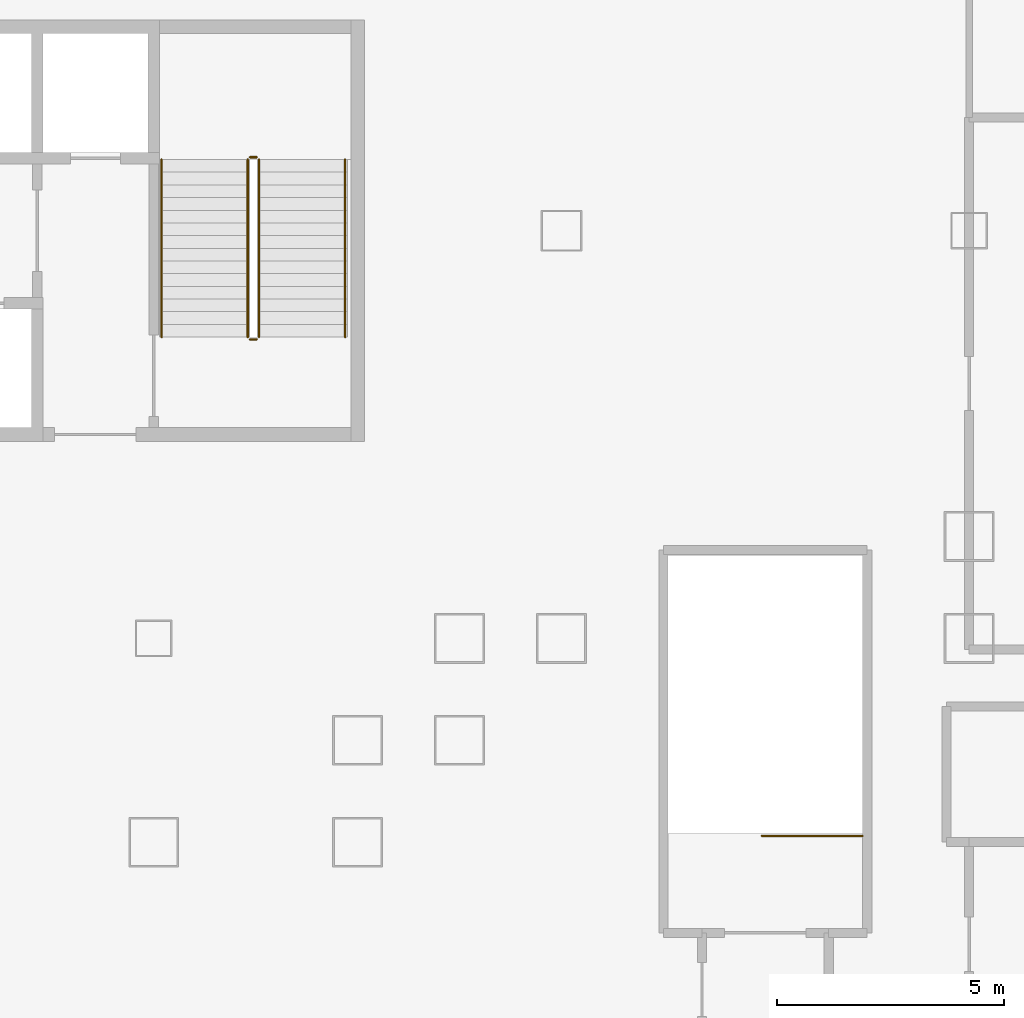
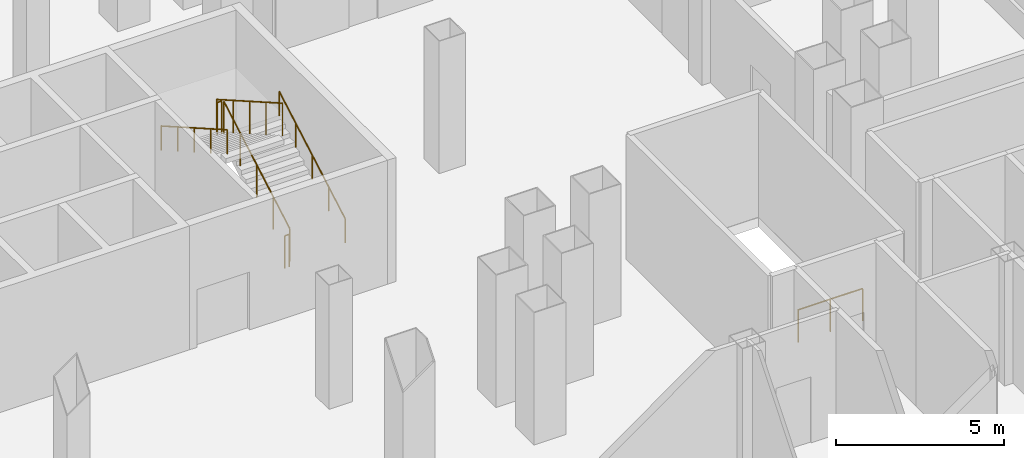
# One storey, part 12 of 13: 7 railings.
"""IFC4 building model written with IfcOpenShell, lengths in metres."""

from ifc_helpers import new_model, si_unit, direction, frame, origin, origin_2d, place, context, subcontext, project, spatial, circle, extrude, material, type_object, element, save


model = new_model("IFC4")

# Units and contexts
model_context = context("Model", 3, precision=1e-05, world=origin(), true_north=direction((0.0, 1.0)))
body_context = subcontext(model_context, "Body", "Model", "MODEL_VIEW")
ifc_project = project(units=[si_unit("LENGTHUNIT", "METRE"), si_unit("AREAUNIT", "SQUARE_METRE"), si_unit("VOLUMEUNIT", "CUBIC_METRE"), si_unit("PLANEANGLEUNIT", "RADIAN"), si_unit("MASSUNIT", "GRAM", prefix="KILO")], contexts=[model_context])

# Site, building, storey
site_placement = place(None, origin())
site = spatial("IfcSite", under=ifc_project, at=site_placement, CompositionType="ELEMENT")
building_placement = place(site_placement, origin())
building = spatial("IfcBuilding", under=site, at=building_placement, Name="Caravel Reach Hotel and Residences", CompositionType="ELEMENT")
storey_placement = place(building_placement, frame((0.0, 0.0, 28.800048828125)))
storey = spatial("IfcBuildingStorey", under=building, at=storey_placement, Name="L05", CompositionType="ELEMENT", Elevation=28.800048828125)

# Railings
ifc_material_1 = material(Name="Steel balustrade with glass infill", Category="steel")
railing_type_1 = type_object("IfcRailingType", Name="Guard 1200", PredefinedType="GUARDRAIL", material=ifc_material_1)
railing_1_placement = place(storey_placement, frame((42.824951171875, 24.64990234375, 0.159912109375)))
element("IfcRailing", 1, at=railing_1_placement, inside=storey, type_object=railing_type_1, Name="L05 ST-B stair guard 1", PredefinedType="GUARDRAIL", context=body_context, shape_type="SweptSolid", body=[
    extrude(circle(Radius=0.02392578125, at=origin_2d()), frame((0.0, 0.0, 1.17578125), z_axis=(0.0, 0.86825312469, 0.496121468458), x_axis=(-1.0, 0.0, 0.0)), (0.0, 0.0, 1.0), 4.514892578125),
    extrude(circle(Radius=0.02099609375, at=origin_2d()), origin(), (0.0, 0.0, 1.0), 1.15185546875),
    extrude(circle(Radius=0.02099609375, at=origin_2d()), frame((0.0, 0.97998046875, 0.56005859375)), (0.0, 0.0, 1.0), 1.15185546875),
    extrude(circle(Radius=0.02099609375, at=origin_2d()), frame((0.0, 1.9599609375, 1.1201171875)), (0.0, 0.0, 1.0), 1.15185546875),
    extrude(circle(Radius=0.02099609375, at=origin_2d()), frame((0.0, 2.940185546875, 1.679931640625)), (0.0, 0.0, 1.0), 1.15185546875),
    extrude(circle(Radius=0.02099609375, at=origin_2d()), frame((0.0, 3.920166015625, 2.239990234375)), (0.0, 0.0, 1.0), 1.15185546875),
])
railing_2_placement = place(storey_placement, frame((42.77490234375, 28.6201171875, 2.39990234375)))
element("IfcRailing", 2, at=railing_2_placement, inside=storey, type_object=railing_type_1, Name="L05 ST-B stair guard 2", PredefinedType="GUARDRAIL", context=body_context, shape_type="SweptSolid", body=[
    extrude(circle(Radius=0.02392578125, at=origin_2d()), frame((0.0, 0.0, 1.17578125), z_axis=(-1.0, 0.0, 0.0), x_axis=(0.0, -1.0, 0.0)), (0.0, 0.0, 1.0), 0.14990234375),
    extrude(circle(Radius=0.02099609375, at=origin_2d()), origin(), (0.0, 0.0, 1.0), 1.15185546875),
    extrude(circle(Radius=0.02099609375, at=origin_2d()), frame((-0.14990234375, 0.0, 0.0)), (0.0, 0.0, 1.0), 1.15185546875),
])
railing_3_placement = place(storey_placement, frame((42.574951171875, 28.570068359375, 2.56005859375)))
element("IfcRailing", 3, at=railing_3_placement, inside=storey, type_object=railing_type_1, Name="L05 ST-B stair guard 3", PredefinedType="GUARDRAIL", context=body_context, shape_type="SweptSolid", body=[
    extrude(circle(Radius=0.02392578125, at=origin_2d()), frame((0.0, 0.0, 1.17578125), z_axis=(0.0, -0.86825312469, 0.496121468458), x_axis=(1.0, 0.0, 0.0)), (0.0, 0.0, 1.0), 4.514892578125),
    extrude(circle(Radius=0.02099609375, at=origin_2d()), origin(), (0.0, 0.0, 1.0), 1.15185546875),
    extrude(circle(Radius=0.02099609375, at=origin_2d()), frame((0.0, -0.97998046875, 0.56005859375)), (0.0, 0.0, 1.0), 1.15185546875),
    extrude(circle(Radius=0.02099609375, at=origin_2d()), frame((0.0, -1.9599609375, 1.1201171875)), (0.0, 0.0, 1.0), 1.15185546875),
    extrude(circle(Radius=0.02099609375, at=origin_2d()), frame((0.0, -2.940185546875, 1.679931640625)), (0.0, 0.0, 1.0), 1.15185546875),
    extrude(circle(Radius=0.02099609375, at=origin_2d()), frame((0.0, -3.920166015625, 2.239990234375)), (0.0, 0.0, 1.0), 1.15185546875),
])
railing_4_placement = place(storey_placement, frame((42.77490234375, 24.60009765625, 0.0)))
element("IfcRailing", 4, at=railing_4_placement, inside=storey, type_object=railing_type_1, Name="L05 ST-B stair guard 4", PredefinedType="GUARDRAIL", context=body_context, shape_type="SweptSolid", body=[
    extrude(circle(Radius=0.02392578125, at=origin_2d()), frame((0.0, 0.0, 1.17578125), z_axis=(-1.0, 0.0, 0.0), x_axis=(0.0, -1.0, 0.0)), (0.0, 0.0, 1.0), 0.14990234375),
    extrude(circle(Radius=0.02099609375, at=origin_2d()), origin(), (0.0, 0.0, 1.0), 1.15185546875),
    extrude(circle(Radius=0.02099609375, at=origin_2d()), frame((-0.14990234375, 0.0, 0.0)), (0.0, 0.0, 1.0), 1.15185546875),
])
railing_5_placement = place(storey_placement, frame((56.14501953125, 13.639892578125, 0.0)))
element("IfcRailing", 5, at=railing_5_placement, inside=storey, type_object=railing_type_1, Name="L05 ST-P4 top well guard 1", PredefinedType="GUARDRAIL", context=body_context, shape_type="SweptSolid", body=[
    extrude(circle(Radius=0.02392578125, at=origin_2d()), frame((0.0, 0.0, 1.17578125), z_axis=(-1.0, 0.0, 0.0), x_axis=(0.0, -1.0, 0.0)), (0.0, 0.0, 1.0), 2.219970703125),
    extrude(circle(Radius=0.02099609375, at=origin_2d()), origin(), (0.0, 0.0, 1.0), 1.15185546875),
    extrude(circle(Radius=0.02099609375, at=origin_2d()), frame((-1.10986328125, 0.0, 0.0)), (0.0, 0.0, 1.0), 1.15185546875),
    extrude(circle(Radius=0.02099609375, at=origin_2d()), frame((-2.219970703125, 0.0, 0.0)), (0.0, 0.0, 1.0), 1.15185546875),
])
ifc_material_2 = material(Name="Stainless steel handrail", Category="steel")
railing_type_2 = type_object("IfcRailingType", Name="Handrail 900", PredefinedType="HANDRAIL", material=ifc_material_2)
railing_6_placement = place(storey_placement, frame((44.72509765625, 24.64990234375, 0.159912109375)))
element("IfcRailing", 6, at=railing_6_placement, inside=storey, type_object=railing_type_2, Name="L05 ST-B stair handrail 1", PredefinedType="HANDRAIL", context=body_context, shape_type="SweptSolid", body=[
    extrude(circle(Radius=0.02392578125, at=origin_2d()), frame((0.0, 0.0, 0.8759765625), z_axis=(0.0, 0.86825312469, 0.496121468458), x_axis=(-1.0, 0.0, 0.0)), (0.0, 0.0, 1.0), 4.514892578125),
    extrude(circle(Radius=0.02099609375, at=origin_2d()), origin(), (0.0, 0.0, 1.0), 0.851806640625),
    extrude(circle(Radius=0.02099609375, at=origin_2d()), frame((0.0, 0.97998046875, 0.56005859375)), (0.0, 0.0, 1.0), 0.851806640625),
    extrude(circle(Radius=0.02099609375, at=origin_2d()), frame((0.0, 1.9599609375, 1.1201171875)), (0.0, 0.0, 1.0), 0.851806640625),
    extrude(circle(Radius=0.02099609375, at=origin_2d()), frame((0.0, 2.940185546875, 1.679931640625)), (0.0, 0.0, 1.0), 0.851806640625),
    extrude(circle(Radius=0.02099609375, at=origin_2d()), frame((0.0, 3.920166015625, 2.239990234375)), (0.0, 0.0, 1.0), 0.851806640625),
])
railing_7_placement = place(storey_placement, frame((40.675048828125, 28.570068359375, 2.56005859375)))
element("IfcRailing", 7, at=railing_7_placement, inside=storey, type_object=railing_type_2, Name="L05 ST-B stair handrail 2", PredefinedType="HANDRAIL", context=body_context, shape_type="SweptSolid", body=[
    extrude(circle(Radius=0.02392578125, at=origin_2d()), frame((0.0, 0.0, 0.8759765625), z_axis=(0.0, -0.86825312469, 0.496121468458), x_axis=(1.0, 0.0, 0.0)), (0.0, 0.0, 1.0), 4.514892578125),
    extrude(circle(Radius=0.02099609375, at=origin_2d()), origin(), (0.0, 0.0, 1.0), 0.851806640625),
    extrude(circle(Radius=0.02099609375, at=origin_2d()), frame((0.0, -0.97998046875, 0.56005859375)), (0.0, 0.0, 1.0), 0.851806640625),
    extrude(circle(Radius=0.02099609375, at=origin_2d()), frame((0.0, -1.9599609375, 1.1201171875)), (0.0, 0.0, 1.0), 0.851806640625),
    extrude(circle(Radius=0.02099609375, at=origin_2d()), frame((0.0, -2.940185546875, 1.679931640625)), (0.0, 0.0, 1.0), 0.851806640625),
    extrude(circle(Radius=0.02099609375, at=origin_2d()), frame((0.0, -3.920166015625, 2.239990234375)), (0.0, 0.0, 1.0), 0.851806640625),
])

save(model, "model.ifc")
